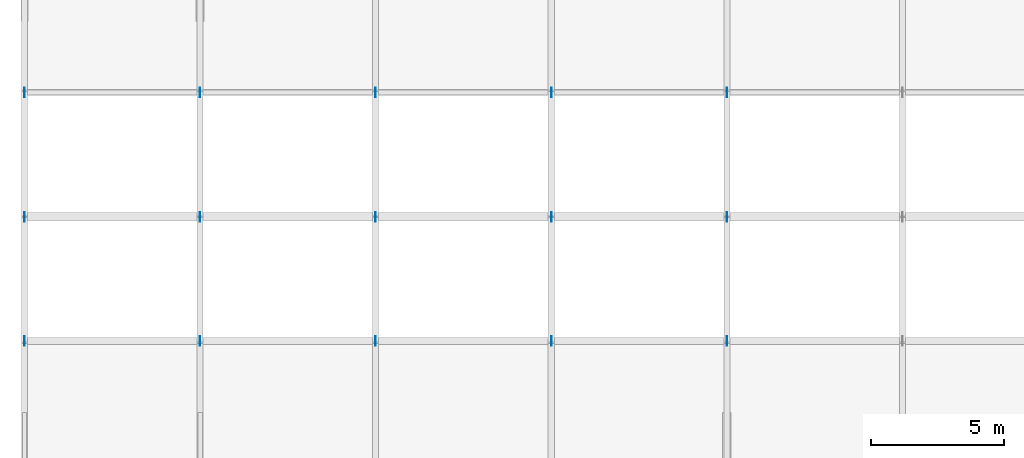
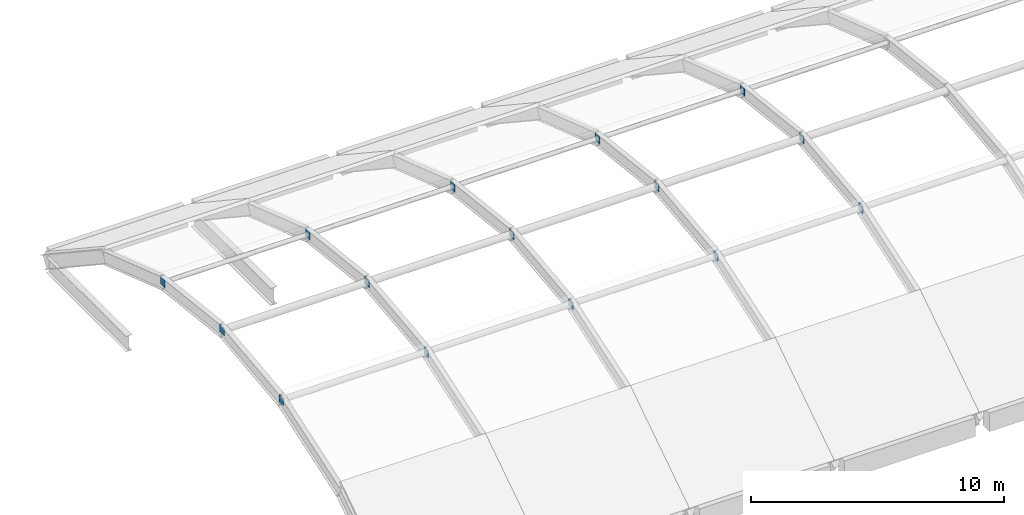
# One storey, part 11 of 20: 15 plates.
"""IFC4 building model written with IfcOpenShell, lengths in metres."""

from ifc_helpers import new_model, si_unit, direction, frame, origin, origin_2d, place, context, subcontext, project, spatial, rectangle, extrude, material, layer, layer_set, type_object, element, save


model = new_model("IFC4")

# Units and contexts
model_context = context("Model", 3, precision=1e-05, world=origin(), true_north=direction((0.0, 1.0)))
body_context = subcontext(model_context, "Body", "Model", "MODEL_VIEW")
ifc_project = project(units=[si_unit("LENGTHUNIT", "METRE"), si_unit("AREAUNIT", "SQUARE_METRE"), si_unit("VOLUMEUNIT", "CUBIC_METRE"), si_unit("PLANEANGLEUNIT", "RADIAN"), si_unit("MASSUNIT", "GRAM", prefix="KILO")], contexts=[model_context])

# Site, building, storey
site_placement = place(None, origin())
site = spatial("IfcSite", under=ifc_project, at=site_placement, CompositionType="ELEMENT")
building_placement = place(site_placement, origin())
building = spatial("IfcBuilding", under=site, at=building_placement, Name="Ciguamira Faculty of Natural Sciences", CompositionType="ELEMENT")
storey_placement = place(building_placement, frame((0.0, 0.0, 21.0)))
storey = spatial("IfcBuildingStorey", under=building, at=storey_placement, Name="L05", CompositionType="ELEMENT", Elevation=21.0)

# Plates
ifc_material = material(Name="Steel ASTM A572 Grade 50", Category="steel")
ifc_layer = layer(ifc_material, 0.02001953125, Name="Steel ASTM A572 Grade 50")
ifc_layer_set = layer_set([ifc_layer], Name="Steel ASTM A572 Grade 50")
plate_type = type_object("IfcPlateType", Name="GussetPlate_EP-02", PredefinedType="SHEET", material=ifc_layer_set)
for number, where, z_axis, x_axis, name in (
    (1, (57.300048828125, 19.333251953125, 4.001953125), (0.0, 0.0, 1.0), (1.0, 0.0, 0.0), "Atrium Tubular Truss Node Plate 1-01"),
    (2, (63.89990234375, 19.333251953125, 4.001953125), (0.0, 0.0, 1.0), (1.0, 0.0, 0.0), "Atrium Tubular Truss Node Plate 1-02"),
    (3, (70.5, 19.333251953125, 4.001953125), (0.0, 0.0, 1.0), (1.0, 0.0, 0.0), "Atrium Tubular Truss Node Plate 1-03"),
    (4, (77.10009765625, 19.333251953125, 4.001953125), (0.0, 0.0, 1.0), (1.0, 0.0, 0.0), "Atrium Tubular Truss Node Plate 1-04"),
    (5, (83.699951171875, 19.333251953125, 4.001953125), (0.0, 0.0, 1.0), (1.0, 0.0, 0.0), "Atrium Tubular Truss Node Plate 1-05"),
    (6, (57.300048828125, 24.0, 4.53369140625), (0.0, 0.0, 1.0), (1.0, 0.0, 0.0), "Atrium Tubular Truss Node Plate 2-01"),
    (7, (63.89990234375, 24.0, 4.53369140625), (0.0, 0.0, 1.0), (1.0, 0.0, 0.0), "Atrium Tubular Truss Node Plate 2-02"),
    (8, (70.5, 24.0, 4.53369140625), (0.0, 0.0, 1.0), (1.0, 0.0, 0.0), "Atrium Tubular Truss Node Plate 2-03"),
    (9, (77.10009765625, 24.0, 4.53369140625), (0.0, 0.0, 1.0), (1.0, 0.0, 0.0), "Atrium Tubular Truss Node Plate 2-04"),
    (10, (83.699951171875, 24.0, 4.53369140625), (0.0, 0.0, 1.0), (1.0, 0.0, 0.0), "Atrium Tubular Truss Node Plate 2-05"),
    (11, (57.300048828125, 28.666748046875, 4.001953125), (0.0, 0.0, 1.0), (1.0, 0.0, 0.0), "Atrium Tubular Truss Node Plate 3-01"),
    (12, (63.89990234375, 28.666748046875, 4.001953125), (0.0, 0.0, 1.0), (1.0, 0.0, 0.0), "Atrium Tubular Truss Node Plate 3-02"),
    (13, (70.5, 28.666748046875, 4.001953125), (0.0, 0.0, 1.0), (1.0, 0.0, 0.0), "Atrium Tubular Truss Node Plate 3-03"),
    (14, (77.10009765625, 28.666748046875, 4.001953125), (0.0, 0.0, 1.0), (1.0, 0.0, 0.0), "Atrium Tubular Truss Node Plate 3-04"),
    (15, (83.699951171875, 28.666748046875, 4.001953125), (0.0, 0.0, 1.0), (1.0, 0.0, 0.0), "Atrium Tubular Truss Node Plate 3-05"),
):
    element("IfcPlate", number, at=place(storey_placement, frame(where, z_axis=z_axis, x_axis=x_axis)), inside=storey, type_object=plate_type, Name=name, PredefinedType="SHEET", context=body_context, shape_type="SweptSolid", body=[
        extrude(rectangle(XDim=0.02001953125, YDim=0.360107421875, at=origin_2d()), origin(), (0.0, 0.0, 1.0), 0.360107421875),
    ])

save(model, "model.ifc")
